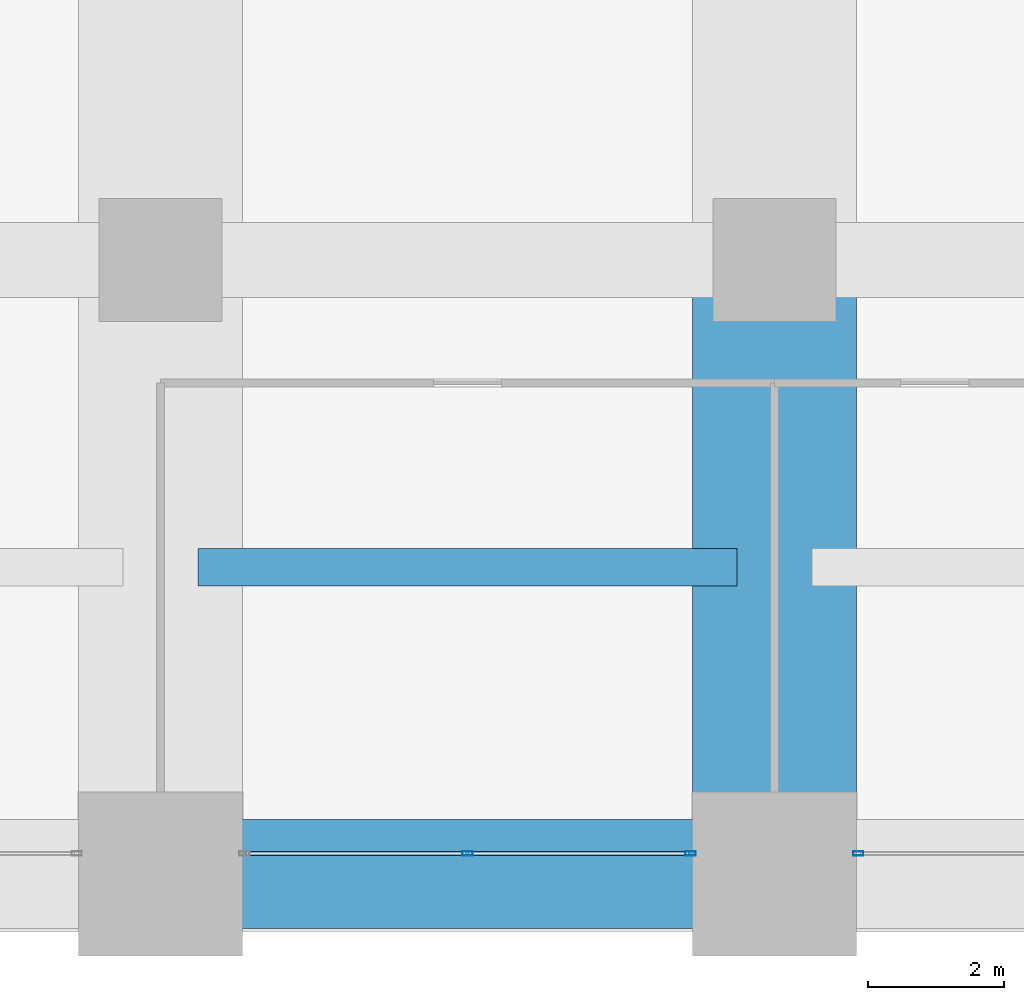
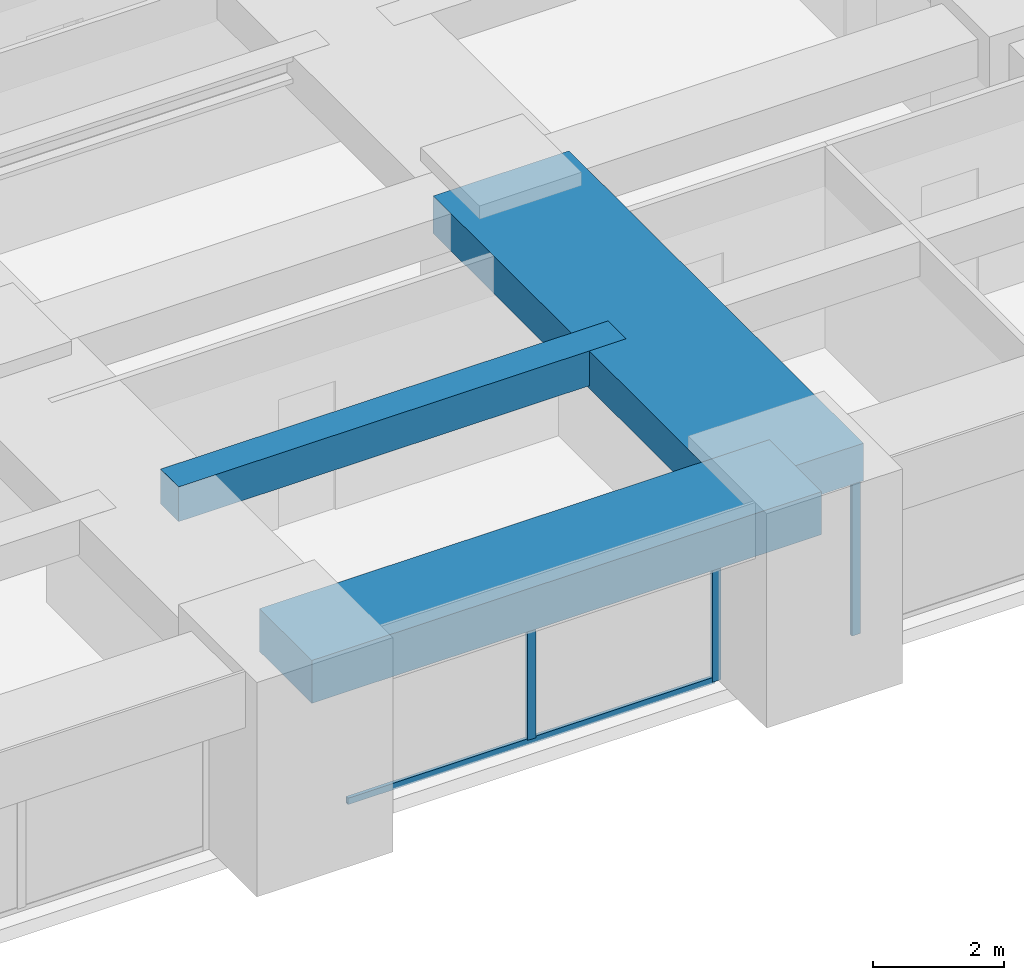
# One storey, part 14 of 43: 4 members, 3 beams, 2 elements without a shape of their own.
"""IFC4 building model written with IfcOpenShell, lengths in metres."""

from ifc_helpers import new_model, si_unit, direction, frame, origin, origin_2d, place, context, subcontext, project, spatial, rectangle, hollow_rectangle, extrude, material, material_profile, profile_set, type_object, element, aggregate, save


model = new_model("IFC4")

# Units and contexts
model_context = context("Model", 3, precision=1e-05, world=origin(), true_north=direction((0.0, 1.0)))
body_context = subcontext(model_context, "Body", "Model", "MODEL_VIEW")
ifc_project = project(units=[si_unit("LENGTHUNIT", "METRE"), si_unit("AREAUNIT", "SQUARE_METRE"), si_unit("VOLUMEUNIT", "CUBIC_METRE"), si_unit("PLANEANGLEUNIT", "RADIAN"), si_unit("MASSUNIT", "GRAM", prefix="KILO")], contexts=[model_context])

# Site, building, storey
site_placement = place(None, origin())
site = spatial("IfcSite", under=ifc_project, at=site_placement, CompositionType="ELEMENT")
building_placement = place(site_placement, origin())
building = spatial("IfcBuilding", under=site, at=building_placement, Name="Zorevar Civic Tower", CompositionType="ELEMENT")
storey_placement = place(building_placement, frame((0.0, 0.0, 145.0)))
storey = spatial("IfcBuildingStorey", under=building, at=storey_placement, Name="L35", CompositionType="ELEMENT", Elevation=145.0)

# Beams
ifc_material_1 = material(Name="Concrete C50/60", Category="concrete")
ifc_material_profile_1 = material_profile(ifc_material_1, rectangle(XDim=2.39990234375, YDim=0.699951171875, at=origin_2d()), Name="RC 2400x700")
ifc_profile_set_1 = profile_set([ifc_material_profile_1], Name="Concrete C50/60")
beam_type_1 = type_object("IfcBeamType", Name="Beam RC 2400x700", PredefinedType="BEAM", material=ifc_profile_set_1)
beam_1_placement = place(storey_placement, frame((45.0, 0.0, 3.39990234375), z_axis=(0.0, 1.0, 0.0), x_axis=(-1.0, 0.0, 0.0)))
element("IfcBeam", 1, at=beam_1_placement, inside=storey, type_object=beam_type_1, Name="Girder L36", PredefinedType="BEAM", context=body_context, shape_type="SweptSolid", body=[
    extrude(rectangle(XDim=2.39990234375, YDim=0.699951171875, at=origin_2d()), origin(), (0.0, 0.0, 1.0), 9.0),
])
ifc_material_2 = material(Name="Concrete C50/60", Category="concrete")
ifc_material_profile_2 = material_profile(ifc_material_2, rectangle(XDim=0.550048828125, YDim=0.64990234375, at=origin_2d()), Name="RC 550x650")
ifc_profile_set_2 = profile_set([ifc_material_profile_2], Name="Concrete C50/60")
beam_type_2 = type_object("IfcBeamType", Name="Beam RC 550x650", PredefinedType="BEAM", material=ifc_profile_set_2)
beam_2_placement = place(storey_placement, frame((36.550048828125, 4.5, 3.425048828125), z_axis=(1.0, 0.0, 0.0), x_axis=(0.0, 1.0, 0.0)))
element("IfcBeam", 2, at=beam_2_placement, inside=storey, type_object=beam_type_2, Name="Secondary beam L36", PredefinedType="BEAM", context=body_context, shape_type="SweptSolid", body=[
    extrude(rectangle(XDim=0.550048828125, YDim=0.64990234375, at=origin_2d()), origin(), (0.0, 0.0, 1.0), 7.89990234375),
])

# Curtain wall, members
ifc_material_3 = material(Name="Dark grey solar-control glass in black aluminium frame", Category="aluminium")
curtain_wall_type = type_object("IfcCurtainWallType", Name="Curtain wall CW3 mid zone", PredefinedType="NOTDEFINED", material=ifc_material_3)
curtain_wall_1_placement = place(storey_placement, origin())
curtain_wall_1 = element("IfcCurtainWall", 3, at=curtain_wall_1_placement, inside=storey, type_object=curtain_wall_type, Name="CW3 L35", PredefinedType="NOTDEFINED")
ifc_material_4 = material(Name="Aluminium, black anodised", Category="aluminium")
ifc_material_profile_3 = material_profile(ifc_material_4, hollow_rectangle(XDim=0.06005859375, YDim=0.14990234375, WallThickness=0.00390625, at=origin_2d()), Name="AL 150x60x4")
ifc_profile_set_3 = profile_set([ifc_material_profile_3], Name="Aluminium, black anodised")
member_type_1 = type_object("IfcMemberType", Name="CW3 mullion AL 150x60x4", PredefinedType="MULLION", material=ifc_profile_set_3)
member_1_placement = place(storey_placement, frame((40.5, 0.300048828125, 0.06005859375), z_axis=(0.0, 0.0, 1.0), x_axis=(0.0, 1.0, 0.0)))
member_1 = element("IfcMember", 4, at=member_1_placement, type_object=member_type_1, Name="CW3 mullion 2", PredefinedType="MULLION", context=body_context, shape_type="SweptSolid", body=[
    extrude(hollow_rectangle(XDim=0.06005859375, YDim=0.14990234375, WallThickness=0.00390625, at=origin_2d()), origin(), (0.0, 0.0, 1.0), 2.889892578125),
])
member_2_placement = place(storey_placement, frame((43.77001953125, 0.300048828125, 0.0), z_axis=(0.0, 0.0, 1.0), x_axis=(0.0, 1.0, 0.0)))
member_2 = element("IfcMember", 5, at=member_2_placement, type_object=member_type_1, Name="CW3 mullion 3", PredefinedType="MULLION", context=body_context, shape_type="SweptSolid", body=[
    extrude(hollow_rectangle(XDim=0.06005859375, YDim=0.14990234375, WallThickness=0.00390625, at=origin_2d()), origin(), (0.0, 0.0, 1.0), 2.949951171875),
])

# Curtain wall, member
curtain_wall_2_placement = place(storey_placement, origin())
curtain_wall_2 = element("IfcCurtainWall", 6, at=curtain_wall_2_placement, inside=storey, type_object=curtain_wall_type, Name="CW3 L35", PredefinedType="NOTDEFINED")
member_3_placement = place(storey_placement, frame((46.22998046875, 0.300048828125, 0.0), z_axis=(0.0, 0.0, 1.0), x_axis=(0.0, 1.0, 0.0)))
member_3 = element("IfcMember", 7, at=member_3_placement, type_object=member_type_1, Name="CW3 mullion 1", PredefinedType="MULLION", context=body_context, shape_type="SweptSolid", body=[
    extrude(hollow_rectangle(XDim=0.06005859375, YDim=0.14990234375, WallThickness=0.00390625, at=origin_2d()), origin(), (0.0, 0.0, 1.0), 2.949951171875),
])
aggregate(curtain_wall_2, [member_3])

# Member
ifc_material_5 = material(Name="Aluminium, black anodised", Category="aluminium")
ifc_material_profile_4 = material_profile(ifc_material_5, hollow_rectangle(XDim=0.06005859375, YDim=0.1201171875, WallThickness=0.0029296875, at=origin_2d()), Name="AL 120x60x3")
ifc_profile_set_4 = profile_set([ifc_material_profile_4], Name="Aluminium, black anodised")
member_type_2 = type_object("IfcMemberType", Name="CW3 transom AL 120x60x3", PredefinedType="USERDEFINED", material=ifc_profile_set_4)
member_4_placement = place(storey_placement, frame((37.260009765625, 0.300048828125, 0.030029296875), z_axis=(1.0, 0.0, 0.0), x_axis=(0.0, 1.0, 0.0)))
member_4 = element("IfcMember", 8, at=member_4_placement, type_object=member_type_2, Name="CW3 sill transom", ObjectType="TRANSOM", PredefinedType="USERDEFINED", context=body_context, shape_type="SweptSolid", body=[
    extrude(hollow_rectangle(XDim=0.06005859375, YDim=0.1201171875, WallThickness=0.0029296875, at=origin_2d()), origin(), (0.0, 0.0, 1.0), 6.47998046875),
])

aggregate(curtain_wall_1, [member_1, member_2, member_4])

# Beam
ifc_material_6 = material(Name="Concrete C50/60", Category="concrete")
ifc_material_profile_5 = material_profile(ifc_material_6, rectangle(XDim=1.60009765625, YDim=0.800048828125, at=origin_2d()), Name="RC 1600x800")
ifc_profile_set_5 = profile_set([ifc_material_profile_5], Name="Concrete C50/60")
beam_type_3 = type_object("IfcBeamType", Name="Edge beam RC 1600x800", PredefinedType="SPANDREL", material=ifc_profile_set_5)
beam_3_placement = place(storey_placement, frame((36.0, 0.0, 3.35009765625), z_axis=(1.0, 0.0, 0.0), x_axis=(0.0, 1.0, 0.0)))
element("IfcBeam", 9, at=beam_3_placement, inside=storey, type_object=beam_type_3, Name="Edge beam L36", PredefinedType="SPANDREL", context=body_context, shape_type="SweptSolid", body=[
    extrude(rectangle(XDim=1.60009765625, YDim=0.800048828125, at=origin_2d()), origin(), (0.0, 0.0, 1.0), 9.0),
])

save(model, "model.ifc")
